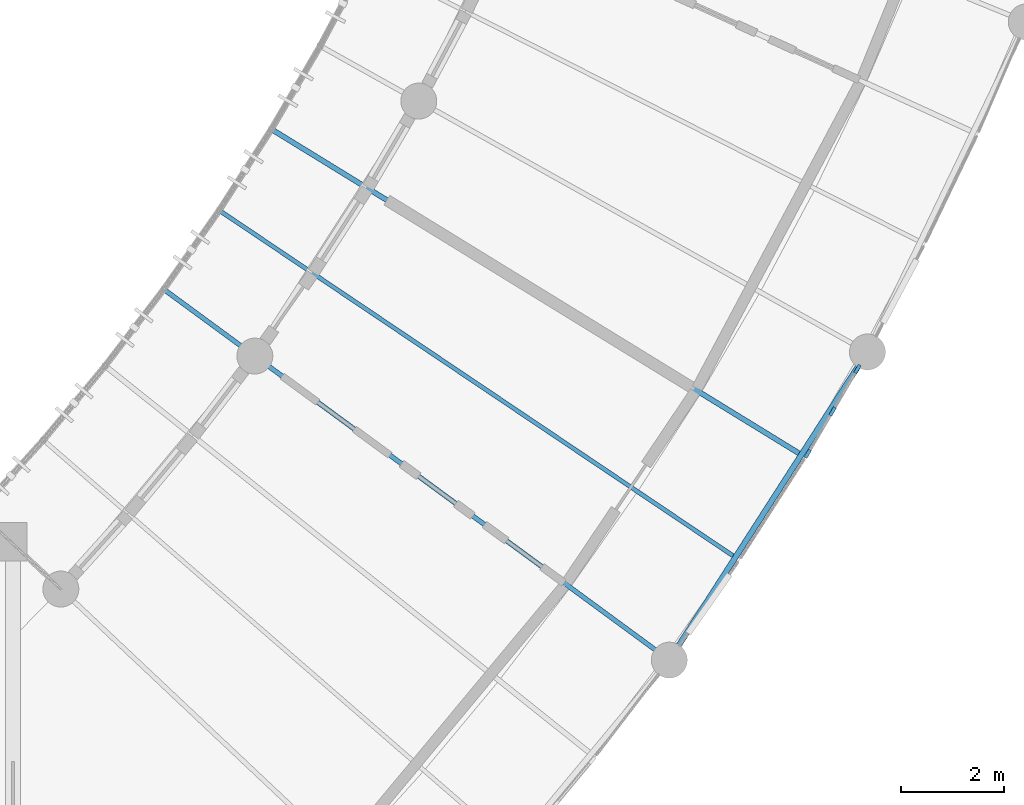
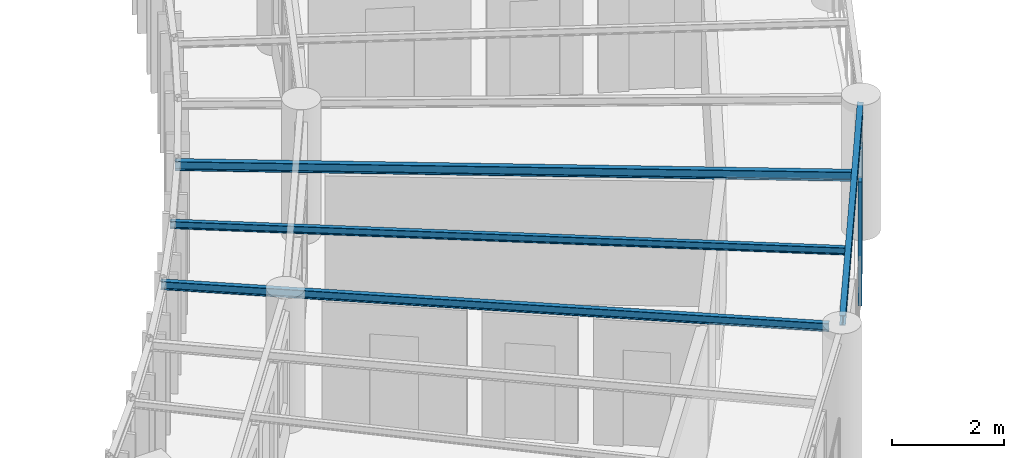
# One storey, part 12 of 123: 4 beams, 3 members, 1 element without a shape of its own.
"""IFC4 building model written with IfcOpenShell, lengths in metres."""

from ifc_helpers import new_model, si_unit, direction, frame, origin, origin_2d, place, context, subcontext, project, spatial, rectangle, i_section, extrude, material, layer, layer_set, material_profile, profile_set, type_object, element, aggregate, save


model = new_model("IFC4")

# Units and contexts
model_context = context("Model", 3, precision=1e-05, world=origin(), true_north=direction((0.0, 1.0)))
body_context = subcontext(model_context, "Body", "Model", "MODEL_VIEW")
ifc_project = project(units=[si_unit("LENGTHUNIT", "METRE"), si_unit("AREAUNIT", "SQUARE_METRE"), si_unit("VOLUMEUNIT", "CUBIC_METRE"), si_unit("PLANEANGLEUNIT", "RADIAN"), si_unit("MASSUNIT", "GRAM", prefix="KILO"), si_unit("POWERUNIT", "WATT"), si_unit("THERMODYNAMICTEMPERATUREUNIT", "KELVIN")], contexts=[model_context])

# Site, building, storey
site_placement = place(None, origin())
site = spatial("IfcSite", under=ifc_project, at=site_placement, CompositionType="ELEMENT")
building_placement = place(site_placement, origin())
building = spatial("IfcBuilding", under=site, at=building_placement, Name="Ruvembo Vaulted Housing Court", CompositionType="ELEMENT")
storey_placement = place(building_placement, frame((0.0, 0.0, 7.699951171875)))
storey = spatial("IfcBuildingStorey", under=building, at=storey_placement, Name="L02", CompositionType="ELEMENT", Elevation=7.699951171875)

# Beams
ifc_material_1 = material(Name="Steel S355J2", Category="steel")
ifc_material_profile_1 = material_profile(ifc_material_1, i_section(OverallWidth=0.08203125, OverallDepth=0.159912109375, WebThickness=0.0048828125, FlangeThickness=0.00732421875, FilletRadius=0.009033203125, at=origin_2d()), Name="IPE 160")
ifc_profile_set_1 = profile_set([ifc_material_profile_1], Name="Steel S355J2")
beam_type_1 = type_object("IfcBeamType", Name="BM-ST-IPE160", PredefinedType="JOIST", material=ifc_profile_set_1)
beam_1_placement = place(storey_placement, frame((50.010986328125, 41.721923828125, 2.860107421875), z_axis=(-0.829875932672, 0.557947969233, 0.0), x_axis=(-0.557947969233, -0.829875932672, 0.0)))
element("IfcBeam", 1, at=beam_1_placement, inside=storey, type_object=beam_type_1, Name="Scoop SC1 L02 Radial Steel Joist 4", PredefinedType="JOIST", context=body_context, shape_type="SweptSolid", body=[
    extrude(i_section(OverallWidth=0.08203125, OverallDepth=0.159912109375, WebThickness=0.0048828125, FlangeThickness=0.00732421875, FilletRadius=0.009033203125, at=origin_2d()), origin(), (0.0, 0.0, 1.0), 12.0927734375),
])
ifc_material_profile_2 = material_profile(ifc_material_1, i_section(OverallWidth=0.091064453125, OverallDepth=0.179931640625, WebThickness=0.00537109375, FlangeThickness=0.008056640625, FilletRadius=0.009033203125, at=origin_2d()), Name="IPE 180")
ifc_profile_set_2 = profile_set([ifc_material_profile_2], Name="Steel S355J2")
beam_type_2 = type_object("IfcBeamType", Name="BM-ST-IPE180", PredefinedType="JOIST", material=ifc_profile_set_2)
beam_2_placement = place(storey_placement, frame((48.581787109375, 39.831298828125, 2.85009765625), z_axis=(-0.806331315206, 0.591464124117, 0.0), x_axis=(-0.591464124117, -0.806331315206, 0.0)))
element("IfcBeam", 2, at=beam_2_placement, inside=storey, type_object=beam_type_2, Name="Scoop SC1 L02 Radial Steel Joist 3", PredefinedType="JOIST", context=body_context, shape_type="SweptSolid", body=[
    extrude(i_section(OverallWidth=0.091064453125, OverallDepth=0.179931640625, WebThickness=0.00537109375, FlangeThickness=0.008056640625, FilletRadius=0.009033203125, at=origin_2d()), origin(), (0.0, 0.0, 1.0), 12.010009765625),
])
ifc_material_profile_3 = material_profile(ifc_material_1, i_section(OverallWidth=0.10009765625, OverallDepth=0.199951171875, WebThickness=0.005615234375, FlangeThickness=0.008544921875, FilletRadius=0.011962890625, at=origin_2d()), Name="IPE 200")
ifc_profile_set_3 = profile_set([ifc_material_profile_3], Name="Steel S355J2")
beam_type_3 = type_object("IfcBeamType", Name="BM-ST-IPE200", PredefinedType="BEAM", material=ifc_profile_set_3)
beam_3_placement = place(storey_placement, frame((51.29296875, 43.716064453125, 2.840087890625), z_axis=(-0.852055275677, 0.52345181936, 0.0), x_axis=(-0.52345181936, -0.852055275677, 0.0)))
element("IfcBeam", 3, at=beam_3_placement, inside=storey, type_object=beam_type_3, Name="Scoop SC1 L02 Radial Steel Joist 5", PredefinedType="BEAM", context=body_context, shape_type="SweptSolid", body=[
    extrude(i_section(OverallWidth=0.10009765625, OverallDepth=0.199951171875, WebThickness=0.005615234375, FlangeThickness=0.008544921875, FilletRadius=0.011962890625, at=origin_2d()), origin(), (0.0, 0.0, 1.0), 12.092529296875),
])
ifc_material_profile_4 = material_profile(ifc_material_1, i_section(OverallWidth=0.110107421875, OverallDepth=0.219970703125, WebThickness=0.005859375, FlangeThickness=0.00927734375, FilletRadius=0.011962890625, at=origin_2d()), Name="IPE 220")
ifc_profile_set_4 = profile_set([ifc_material_profile_4], Name="Steel S355J2")
beam_type_4 = type_object("IfcBeamType", Name="BM-ST-IPE220", PredefinedType="SPANDREL", material=ifc_profile_set_4)
beam_4_placement = place(storey_placement, frame((48.8916015625, 39.888671875, 2.83203125), z_axis=(0.540829784902, 0.841132060834, 0.0), x_axis=(-0.841132060834, 0.540829784902, 0.0)))
element("IfcBeam", 4, at=beam_4_placement, inside=storey, type_object=beam_type_4, Name="Scoop SC1 L02 Chord Girder B3", PredefinedType="SPANDREL", context=body_context, shape_type="SweptSolid", body=[
    extrude(i_section(OverallWidth=0.110107421875, OverallDepth=0.219970703125, WebThickness=0.005859375, FlangeThickness=0.00927734375, FilletRadius=0.011962890625, at=origin_2d()), origin(), (0.0, 0.0, 1.0), 6.66552734375),
])

# Curtain wall, members
ifc_material_2 = material(Name="Anodised Aluminium and Solar-Control Glass", Category="aluminium")
ifc_layer = layer(ifc_material_2, 0.1201171875, Name="Anodised Aluminium and Solar-Control Glass")
ifc_layer_set = layer_set([ifc_layer], Name="Anodised Aluminium and Solar-Control Glass")
curtain_wall_type = type_object("IfcCurtainWallType", Name="CW-SCOOP-GAL", PredefinedType="NOTDEFINED", material=ifc_layer_set)
curtain_wall_placement = place(storey_placement, origin())
curtain_wall = element("IfcCurtainWall", 5, at=curtain_wall_placement, inside=storey, type_object=curtain_wall_type, Name="L02 Curtain Wall CW-L02-0014", PredefinedType="NOTDEFINED")
ifc_material_3 = material(Name="Anodised Aluminium 6063-T6", Category="aluminium")
ifc_material_profile_5 = material_profile(ifc_material_3, rectangle(XDim=0.06494140625, YDim=0.179931640625, at=origin_2d()), Name="ALU 65x180")
ifc_profile_set_5 = profile_set([ifc_material_profile_5], Name="Anodised Aluminium 6063-T6")
member_type = type_object("IfcMemberType", Name="CW-MUL-65x180", PredefinedType="MULLION", material=ifc_profile_set_5)
member_1_placement = place(storey_placement, frame((51.46044921875, 43.7099609375, 0.0), z_axis=(0.0, 0.0, 1.0), x_axis=(-0.862605859133, 0.505876597392, 0.0)))
member_1 = element("IfcMember", 6, at=member_1_placement, type_object=member_type, Name="CW6 mullion 1", PredefinedType="MULLION", context=body_context, shape_type="SweptSolid", body=[
    extrude(rectangle(XDim=0.06494140625, YDim=0.179931640625, at=origin_2d()), origin(), (0.0, 0.0, 1.0), 2.697998046875),
])
member_2_placement = place(storey_placement, frame((51.94384765625, 44.534423828125, 0.0), z_axis=(0.0, 0.0, 1.0), x_axis=(-0.862605859133, 0.505876597392, 0.0)))
member_2 = element("IfcMember", 7, at=member_2_placement, type_object=member_type, Name="CW6 mullion 2", PredefinedType="MULLION", context=body_context, shape_type="SweptSolid", body=[
    extrude(rectangle(XDim=0.06494140625, YDim=0.179931640625, at=origin_2d()), origin(), (0.0, 0.0, 1.0), 2.697998046875),
])
member_3_placement = place(storey_placement, frame((52.42724609375, 45.35888671875, 0.0), z_axis=(0.0, 0.0, 1.0), x_axis=(-0.862605859133, 0.505876597392, 0.0)))
member_3 = element("IfcMember", 8, at=member_3_placement, type_object=member_type, Name="CW6 mullion 3", PredefinedType="MULLION", context=body_context, shape_type="SweptSolid", body=[
    extrude(rectangle(XDim=0.06494140625, YDim=0.179931640625, at=origin_2d()), origin(), (0.0, 0.0, 1.0), 2.697998046875),
])
aggregate(curtain_wall, [member_1, member_2, member_3])

save(model, "model.ifc")
